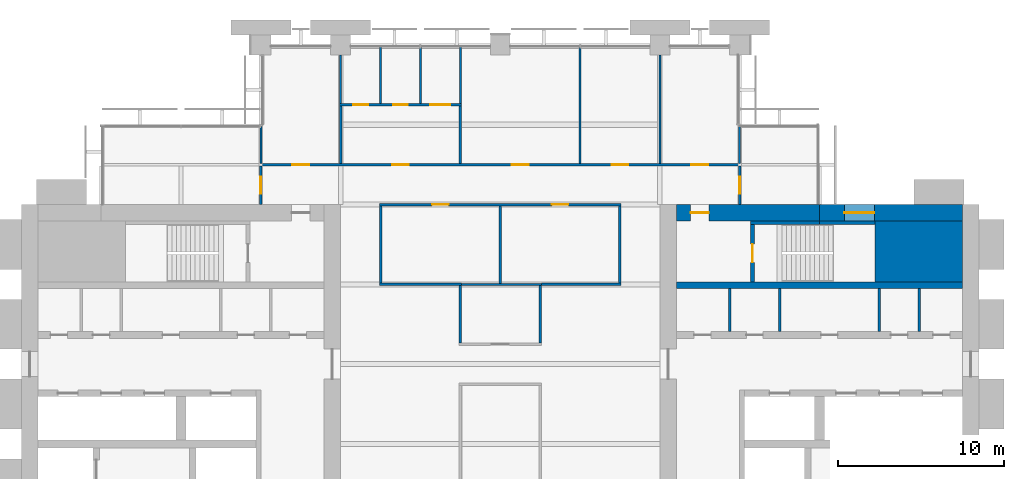
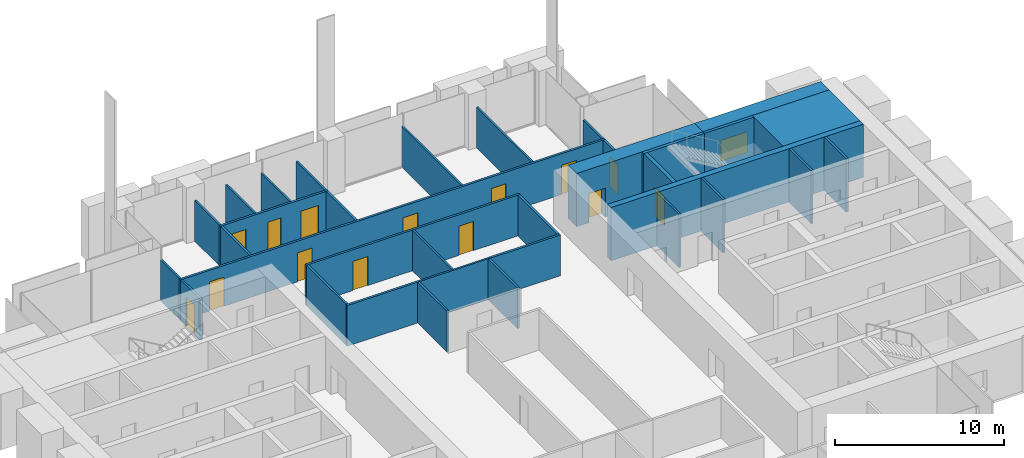
# One storey, part 12 of 14: 34 walls, 14 doors, 1 window, 15 openings.
"""IFC4 building model written with IfcOpenShell, lengths in metres."""

from ifc_helpers import new_model, si_unit, direction, frame, frame_2d, origin, place, context, subcontext, project, spatial, rectangle, extrude, material, layer, layer_set, type_object, element, fill, save


model = new_model("IFC4")

# Units and contexts
model_context = context("Model", 3, precision=1e-05, world=origin(), true_north=direction((0.0, 1.0)))
body_context = subcontext(model_context, "Body", "Model", "MODEL_VIEW")
ifc_project = project(units=[si_unit("LENGTHUNIT", "METRE"), si_unit("AREAUNIT", "SQUARE_METRE"), si_unit("VOLUMEUNIT", "CUBIC_METRE"), si_unit("PLANEANGLEUNIT", "RADIAN"), si_unit("MASSUNIT", "GRAM", prefix="KILO")], contexts=[model_context])

# Site, building, storey
site_placement = place(None, origin())
site = spatial("IfcSite", under=ifc_project, at=site_placement, CompositionType="ELEMENT")
building_placement = place(site_placement, origin())
building = spatial("IfcBuilding", under=site, at=building_placement, Name="Baori Bourse Tower", CompositionType="ELEMENT")
storey_placement = place(building_placement, frame((0.0, 0.0, 156.10009765625)))
storey = spatial("IfcBuildingStorey", under=building, at=storey_placement, Name="L34", CompositionType="ELEMENT", Elevation=156.10009765625)

# Walls
ifc_material_1 = material(Name="Concrete f'c 60 MPa", Category="concrete")
wall_type_1 = type_object("IfcWallType", Name="Core corner block f'c 60", PredefinedType="SHEAR", material=ifc_material_1)
wall_1_placement = place(storey_placement, frame((51.35009765625, 35.574951171875, 0.0), z_axis=(0.0, 0.0, 1.0), x_axis=(1.0, 0.0, 0.0)))
element("IfcWall", 1, at=wall_1_placement, inside=storey, type_object=wall_type_1, Name="Core wall E28", PredefinedType="SHEAR", context=body_context, shape_type="SweptSolid", body=[
    extrude(rectangle(XDim=5.25, YDim=3.64990234375, at=frame_2d((2.625, 0.0))), origin(), (0.0, 0.0, 1.0), 3.83984375),
])
ifc_material_2 = material(Name="Blockwork partition", Category="masonry")
ifc_layer_1 = layer(ifc_material_2, 0.14990234375)
ifc_layer_set_1 = layer_set([ifc_layer_1], Name="Core partition 150")
wall_type_2 = type_object("IfcWallType", Name="Core partition 150", PredefinedType="PARTITIONING", material=ifc_layer_set_1)
for number, where, z_axis, x_axis, name in (
    (2, (54.0, 30.75, 0.0), (0.0, 0.0, 1.0), (0.0, 1.0, 0.0), "Partition wall E23"),
    (3, (51.60009765625, 30.75, 0.0), (0.0, 0.0, 1.0), (0.0, 1.0, 0.0), "Partition wall E24"),
    (4, (45.60009765625, 30.75, 0.0), (0.0, 0.0, 1.0), (0.0, 1.0, 0.0), "Partition wall E25"),
    (5, (42.60009765625, 30.75, 0.0), (0.0, 0.0, 1.0), (0.0, 1.0, 0.0), "Partition wall E26"),
):
    element("IfcWall", number, at=place(storey_placement, frame(where, z_axis=z_axis, x_axis=x_axis)), inside=storey, type_object=wall_type_2, Name=name, PredefinedType="PARTITIONING", context=body_context, shape_type="SweptSolid", body=[
        extrude(rectangle(XDim=2.60009765625, YDim=0.14990234375, at=frame_2d((1.300048828125, 0.0))), origin(), (0.0, 0.0, 1.0), 3.83984375),
    ])

# Wall, opening, window
ifc_material_3 = material(Name="Concrete f'c 60 MPa", Category="concrete")
ifc_layer_2 = layer(ifc_material_3, 1.0)
ifc_layer_set_2 = layer_set([ifc_layer_2], Name="Core wall 1000 f'c 60")
wall_type_3 = type_object("IfcWallType", Name="Core wall 1000 f'c 60", PredefinedType="SHEAR", material=ifc_layer_set_2)
wall_2_placement = place(storey_placement, frame((48.0, 37.89990234375, 0.0), z_axis=(0.0, 0.0, 1.0), x_axis=(1.0, 0.0, 0.0)))
wall_2 = element("IfcWall", 6, at=wall_2_placement, inside=storey, type_object=wall_type_3, Name="Core wall E32", PredefinedType="SHEAR", context=body_context, shape_type="SweptSolid", body=[
    extrude(rectangle(XDim=8.60009765625, YDim=1.0, at=frame_2d((4.300048828125, 0.0))), origin(), (0.0, 0.0, 1.0), 3.83984375),
])
opening_1_placement = place(wall_2_placement, frame((1.5, 0.0, 0.89990234375)))
opening_1 = element("IfcOpeningElement", 7, at=opening_1_placement, cuts=wall_2, Name="Opening L34-KW204", PredefinedType="OPENING", context=body_context, shape_type="SweptSolid", body=[
    extrude(rectangle(XDim=1.800048828125, YDim=1.5, at=frame_2d((0.89990234375, 0.75))), frame((0.0, 0.510009765625, 0.0), z_axis=(0.0, -1.0, 0.0), x_axis=(1.0, 0.0, 0.0)), (0.0, 0.0, 1.0), 1.02001953125),
])
ifc_material_4 = material(Name="Pale anodised aluminium", Category="aluminium")
window_type = type_object("IfcWindowType", Name="Stair window 1800 x 1500", PartitioningType="SINGLE_PANEL", PredefinedType="WINDOW", material=ifc_material_4)
window_placement = place(opening_1_placement, origin())
window = element("IfcWindow", 8, at=window_placement, inside=storey, type_object=window_type, Name="Stair window E L34 4", OverallHeight=1.5, OverallWidth=1.800048828125, PartitioningType="SINGLE_PANEL", PredefinedType="WINDOW", context=body_context, shape_type="SweptSolid", body=[
    extrude(rectangle(XDim=1.800048828125, YDim=1.5, at=frame_2d((0.89990234375, 0.75))), frame((0.0, 0.030029296875, 0.0), z_axis=(0.0, -1.0, 0.0), x_axis=(1.0, 0.0, 0.0)), (0.0, 0.0, 1.0), 0.06005859375),
])
fill(opening_1, window)

# Wall, opening, door
wall_3_placement = place(storey_placement, frame((39.39990234375, 37.89990234375, 0.0), z_axis=(0.0, 0.0, 1.0), x_axis=(1.0, 0.0, 0.0)))
wall_3 = element("IfcWall", 9, at=wall_3_placement, inside=storey, type_object=wall_type_3, Name="Core wall E33", PredefinedType="SHEAR", context=body_context, shape_type="SweptSolid", body=[
    extrude(rectangle(XDim=8.60009765625, YDim=1.0, at=frame_2d((4.300048828125, 0.0))), origin(), (0.0, 0.0, 1.0), 3.83984375),
])
opening_2_placement = place(wall_3_placement, frame((0.85009765625, 0.0, 0.0)))
opening_2 = element("IfcOpeningElement", 10, at=opening_2_placement, cuts=wall_3, Name="Opening L34-D204", PredefinedType="OPENING", context=body_context, shape_type="SweptSolid", body=[
    extrude(rectangle(XDim=1.10009765625, YDim=2.10009765625, at=frame_2d((0.550048828125, 1.050048828125))), frame((0.0, 0.510009765625, 0.0), z_axis=(0.0, -1.0, 0.0), x_axis=(1.0, 0.0, 0.0)), (0.0, 0.0, 1.0), 1.02001953125),
])
ifc_material_5 = material(Name="Painted steel door", Category="steel")
door_type_1 = type_object("IfcDoorType", Name="Stair door 1100", OperationType="SINGLE_SWING_LEFT", PredefinedType="DOOR", material=ifc_material_5)
door_1_placement = place(opening_2_placement, origin())
door_1 = element("IfcDoor", 11, at=door_1_placement, inside=storey, type_object=door_type_1, Name="Stair vestibule door B E L34", OperationType="SINGLE_SWING_LEFT", OverallHeight=2.10009765625, OverallWidth=1.10009765625, PredefinedType="DOOR", context=body_context, shape_type="SweptSolid", body=[
    extrude(rectangle(XDim=1.10009765625, YDim=2.10009765625, at=frame_2d((0.550048828125, 1.050048828125))), frame((0.0, 0.02490234375, 0.0), z_axis=(0.0, -1.0, 0.0), x_axis=(1.0, 0.0, 0.0)), (0.0, 0.0, 1.0), 0.050048828125),
])
fill(opening_2, door_1)

# Walls
ifc_material_6 = material(Name="Gypsum board partition")
ifc_layer_3 = layer(ifc_material_6, 0.14990234375)
ifc_layer_set_3 = layer_set([ifc_layer_3], Name="Corridor partition 150")
wall_type_4 = type_object("IfcWallType", Name="Corridor partition 150", PredefinedType="PARTITIONING", material=ifc_layer_set_3)
wall_4_placement = place(storey_placement, frame((21.52490234375, 33.60009765625, 0.0), z_axis=(0.0, 0.0, 1.0), x_axis=(1.0, 0.0, 0.0)))
element("IfcWall", 12, at=wall_4_placement, inside=storey, type_object=wall_type_4, Name="Partition", PredefinedType="PARTITIONING", context=body_context, shape_type="SweptSolid", body=[
    extrude(rectangle(XDim=4.9501953125, YDim=0.14990234375, at=frame_2d((2.47509765625, 0.0))), origin(), (0.0, 0.0, 1.0), 2.935546875),
])
wall_5_placement = place(storey_placement, frame((31.27490234375, 33.60009765625, 0.0), z_axis=(0.0, 0.0, 1.0), x_axis=(1.0, 0.0, 0.0)))
element("IfcWall", 13, at=wall_5_placement, inside=storey, type_object=wall_type_4, Name="Partition", PredefinedType="PARTITIONING", context=body_context, shape_type="SweptSolid", body=[
    extrude(rectangle(XDim=4.800048828125, YDim=0.14990234375, at=frame_2d((2.39990234375, 0.0))), origin(), (0.0, 0.0, 1.0), 2.935546875),
])

# Wall, openings, doors
wall_6_placement = place(storey_placement, frame((21.52490234375, 38.39990234375, 0.0), z_axis=(0.0, 0.0, 1.0), x_axis=(1.0, 0.0, 0.0)))
wall_6 = element("IfcWall", 14, at=wall_6_placement, inside=storey, type_object=wall_type_4, Name="Partition", PredefinedType="PARTITIONING", context=body_context, shape_type="SweptSolid", body=[
    extrude(rectangle(XDim=14.550048828125, YDim=0.14990234375, at=frame_2d((7.27490234375, 0.0))), origin(), (0.0, 0.0, 1.0), 2.935546875),
])
opening_3_placement = place(wall_6_placement, frame((3.175048828125, 0.0, 0.0)))
opening_3 = element("IfcOpeningElement", 15, at=opening_3_placement, cuts=wall_6, Name="Opening L34-D08", PredefinedType="OPENING", context=body_context, shape_type="SweptSolid", body=[
    extrude(rectangle(XDim=1.0, YDim=2.10009765625, at=frame_2d((0.5, 1.050048828125))), frame((0.0, 0.0849609375, 0.0), z_axis=(0.0, -1.0, 0.0), x_axis=(1.0, 0.0, 0.0)), (0.0, 0.0, 1.0), 0.169921875),
])
opening_4_placement = place(wall_6_placement, frame((10.375, 0.0, 0.0)))
opening_4 = element("IfcOpeningElement", 16, at=opening_4_placement, cuts=wall_6, Name="Opening L34-D09", PredefinedType="OPENING", context=body_context, shape_type="SweptSolid", body=[
    extrude(rectangle(XDim=1.0, YDim=2.10009765625, at=frame_2d((0.5, 1.050048828125))), frame((0.0, 0.0849609375, 0.0), z_axis=(0.0, -1.0, 0.0), x_axis=(1.0, 0.0, 0.0)), (0.0, 0.0, 1.0), 0.169921875),
])
ifc_material_7 = material(Name="Timber door leaf", Category="wood")
door_type_2 = type_object("IfcDoorType", Name="Door 1000 x 2100", OperationType="SINGLE_SWING_LEFT", PredefinedType="DOOR", material=ifc_material_7)
door_2_placement = place(opening_3_placement, origin())
door_2 = element("IfcDoor", 17, at=door_2_placement, inside=storey, type_object=door_type_2, Name="Door", OperationType="SINGLE_SWING_LEFT", OverallHeight=2.10009765625, OverallWidth=1.0, PredefinedType="DOOR", context=body_context, shape_type="SweptSolid", body=[
    extrude(rectangle(XDim=1.0, YDim=2.10009765625, at=frame_2d((0.5, 1.050048828125))), frame((0.0, 0.02490234375, 0.0), z_axis=(0.0, -1.0, 0.0), x_axis=(1.0, 0.0, 0.0)), (0.0, 0.0, 1.0), 0.050048828125),
])
fill(opening_3, door_2)
door_3_placement = place(opening_4_placement, origin())
door_3 = element("IfcDoor", 18, at=door_3_placement, inside=storey, type_object=door_type_2, Name="Door", OperationType="SINGLE_SWING_RIGHT", OverallHeight=2.10009765625, OverallWidth=1.0, PredefinedType="DOOR", context=body_context, shape_type="SweptSolid", body=[
    extrude(rectangle(XDim=1.0, YDim=2.10009765625, at=frame_2d((0.5, 1.050048828125))), frame((0.0, 0.02490234375, 0.0), z_axis=(0.0, -1.0, 0.0), x_axis=(1.0, 0.0, 0.0)), (0.0, 0.0, 1.0), 0.050048828125),
])
fill(opening_4, door_3)

wall_7_placement = place(storey_placement, frame((14.324951171875, 40.800048828125, 0.0), z_axis=(0.0, 0.0, 1.0), x_axis=(1.0, 0.0, 0.0)))
wall_7 = element("IfcWall", 19, at=wall_7_placement, inside=storey, type_object=wall_type_4, Name="Partition", PredefinedType="PARTITIONING", context=body_context, shape_type="SweptSolid", body=[
    extrude(rectangle(XDim=28.949951171875, YDim=0.14990234375, at=frame_2d((14.47509765625, 0.0))), origin(), (0.0, 0.0, 1.0), 2.935546875),
])
opening_5_placement = place(wall_7_placement, frame((1.97509765625, 0.0, 0.0)))
opening_5 = element("IfcOpeningElement", 20, at=opening_5_placement, cuts=wall_7, Name="Opening L34-D10", PredefinedType="OPENING", context=body_context, shape_type="SweptSolid", body=[
    extrude(rectangle(XDim=1.0, YDim=2.10009765625, at=frame_2d((0.5, 1.050048828125))), frame((0.0, 0.0849609375, 0.0), z_axis=(0.0, -1.0, 0.0), x_axis=(1.0, 0.0, 0.0)), (0.0, 0.0, 1.0), 0.169921875),
])
opening_6_placement = place(wall_7_placement, frame((7.97509765625, 0.0, 0.0)))
opening_6 = element("IfcOpeningElement", 21, at=opening_6_placement, cuts=wall_7, Name="Opening L34-D11", PredefinedType="OPENING", context=body_context, shape_type="SweptSolid", body=[
    extrude(rectangle(XDim=1.0, YDim=2.10009765625, at=frame_2d((0.5, 1.050048828125))), frame((0.0, 0.0849609375, 0.0), z_axis=(0.0, -1.0, 0.0), x_axis=(1.0, 0.0, 0.0)), (0.0, 0.0, 1.0), 0.169921875),
])
opening_7_placement = place(wall_7_placement, frame((15.175048828125, 0.0, 0.0)))
opening_7 = element("IfcOpeningElement", 22, at=opening_7_placement, cuts=wall_7, Name="Opening L34-D12", PredefinedType="OPENING", context=body_context, shape_type="SweptSolid", body=[
    extrude(rectangle(XDim=1.0, YDim=2.10009765625, at=frame_2d((0.5, 1.050048828125))), frame((0.0, 0.0849609375, 0.0), z_axis=(0.0, -1.0, 0.0), x_axis=(1.0, 0.0, 0.0)), (0.0, 0.0, 1.0), 0.169921875),
])
opening_8_placement = place(wall_7_placement, frame((21.175048828125, 0.0, 0.0)))
opening_8 = element("IfcOpeningElement", 23, at=opening_8_placement, cuts=wall_7, Name="Opening L34-D13", PredefinedType="OPENING", context=body_context, shape_type="SweptSolid", body=[
    extrude(rectangle(XDim=1.0, YDim=2.10009765625, at=frame_2d((0.5, 1.050048828125))), frame((0.0, 0.0849609375, 0.0), z_axis=(0.0, -1.0, 0.0), x_axis=(1.0, 0.0, 0.0)), (0.0, 0.0, 1.0), 0.169921875),
])
opening_9_placement = place(wall_7_placement, frame((25.97509765625, 0.0, 0.0)))
opening_9 = element("IfcOpeningElement", 24, at=opening_9_placement, cuts=wall_7, Name="Opening L34-D14", PredefinedType="OPENING", context=body_context, shape_type="SweptSolid", body=[
    extrude(rectangle(XDim=1.0, YDim=2.10009765625, at=frame_2d((0.5, 1.050048828125))), frame((0.0, 0.0849609375, 0.0), z_axis=(0.0, -1.0, 0.0), x_axis=(1.0, 0.0, 0.0)), (0.0, 0.0, 1.0), 0.169921875),
])
door_4_placement = place(opening_5_placement, origin())
door_4 = element("IfcDoor", 25, at=door_4_placement, inside=storey, type_object=door_type_2, Name="Door", OperationType="SINGLE_SWING_RIGHT", OverallHeight=2.10009765625, OverallWidth=1.0, PredefinedType="DOOR", context=body_context, shape_type="SweptSolid", body=[
    extrude(rectangle(XDim=1.0, YDim=2.10009765625, at=frame_2d((0.5, 1.050048828125))), frame((0.0, 0.02490234375, 0.0), z_axis=(0.0, -1.0, 0.0), x_axis=(1.0, 0.0, 0.0)), (0.0, 0.0, 1.0), 0.050048828125),
])
fill(opening_5, door_4)
door_5_placement = place(opening_6_placement, origin())
door_5 = element("IfcDoor", 26, at=door_5_placement, inside=storey, type_object=door_type_2, Name="Door", OperationType="SINGLE_SWING_LEFT", OverallHeight=2.10009765625, OverallWidth=1.0, PredefinedType="DOOR", context=body_context, shape_type="SweptSolid", body=[
    extrude(rectangle(XDim=1.0, YDim=2.10009765625, at=frame_2d((0.5, 1.050048828125))), frame((0.0, 0.02490234375, 0.0), z_axis=(0.0, -1.0, 0.0), x_axis=(1.0, 0.0, 0.0)), (0.0, 0.0, 1.0), 0.050048828125),
])
fill(opening_6, door_5)
door_6_placement = place(opening_7_placement, origin())
door_6 = element("IfcDoor", 27, at=door_6_placement, inside=storey, type_object=door_type_2, Name="Door", OperationType="SINGLE_SWING_LEFT", OverallHeight=2.10009765625, OverallWidth=1.0, PredefinedType="DOOR", context=body_context, shape_type="SweptSolid", body=[
    extrude(rectangle(XDim=1.0, YDim=2.10009765625, at=frame_2d((0.5, 1.050048828125))), frame((0.0, 0.02490234375, 0.0), z_axis=(0.0, -1.0, 0.0), x_axis=(1.0, 0.0, 0.0)), (0.0, 0.0, 1.0), 0.050048828125),
])
fill(opening_7, door_6)
door_7_placement = place(opening_8_placement, origin())
door_7 = element("IfcDoor", 28, at=door_7_placement, inside=storey, type_object=door_type_2, Name="Door", OperationType="SINGLE_SWING_LEFT", OverallHeight=2.10009765625, OverallWidth=1.0, PredefinedType="DOOR", context=body_context, shape_type="SweptSolid", body=[
    extrude(rectangle(XDim=1.0, YDim=2.10009765625, at=frame_2d((0.5, 1.050048828125))), frame((0.0, 0.02490234375, 0.0), z_axis=(0.0, -1.0, 0.0), x_axis=(1.0, 0.0, 0.0)), (0.0, 0.0, 1.0), 0.050048828125),
])
fill(opening_8, door_7)
door_8_placement = place(opening_9_placement, origin())
door_8 = element("IfcDoor", 29, at=door_8_placement, inside=storey, type_object=door_type_2, Name="Door", OperationType="SINGLE_SWING_LEFT", OverallHeight=2.10009765625, OverallWidth=1.0, PredefinedType="DOOR", context=body_context, shape_type="SweptSolid", body=[
    extrude(rectangle(XDim=1.0, YDim=2.10009765625, at=frame_2d((0.5, 1.050048828125))), frame((0.0, 0.02490234375, 0.0), z_axis=(0.0, -1.0, 0.0), x_axis=(1.0, 0.0, 0.0)), (0.0, 0.0, 1.0), 0.050048828125),
])
fill(opening_9, door_8)

wall_8_placement = place(storey_placement, frame((19.125, 44.39990234375, 0.0), z_axis=(0.0, 0.0, 1.0), x_axis=(1.0, 0.0, 0.0)))
wall_8 = element("IfcWall", 30, at=wall_8_placement, inside=storey, type_object=wall_type_4, Name="Partition", PredefinedType="PARTITIONING", context=body_context, shape_type="SweptSolid", body=[
    extrude(rectangle(XDim=7.35009765625, YDim=0.14990234375, at=frame_2d((3.675048828125, 0.0))), origin(), (0.0, 0.0, 1.0), 2.935546875),
])
opening_10_placement = place(wall_8_placement, frame((0.824951171875, 0.0, 0.0)))
opening_10 = element("IfcOpeningElement", 31, at=opening_10_placement, cuts=wall_8, Name="Opening L34-D15", PredefinedType="OPENING", context=body_context, shape_type="SweptSolid", body=[
    extrude(rectangle(XDim=0.89990234375, YDim=2.10009765625, at=frame_2d((0.449951171875, 1.050048828125))), frame((0.0, 0.0849609375, 0.0), z_axis=(0.0, -1.0, 0.0), x_axis=(1.0, 0.0, 0.0)), (0.0, 0.0, 1.0), 0.169921875),
])
opening_11_placement = place(wall_8_placement, frame((3.22509765625, 0.0, 0.0)))
opening_11 = element("IfcOpeningElement", 32, at=opening_11_placement, cuts=wall_8, Name="Opening L34-D16", PredefinedType="OPENING", context=body_context, shape_type="SweptSolid", body=[
    extrude(rectangle(XDim=0.89990234375, YDim=2.10009765625, at=frame_2d((0.449951171875, 1.050048828125))), frame((0.0, 0.0849609375, 0.0), z_axis=(0.0, -1.0, 0.0), x_axis=(1.0, 0.0, 0.0)), (0.0, 0.0, 1.0), 0.169921875),
])
opening_12_placement = place(wall_8_placement, frame((5.47509765625, 0.0, 0.0)))
opening_12 = element("IfcOpeningElement", 33, at=opening_12_placement, cuts=wall_8, Name="Opening L34-D17", PredefinedType="OPENING", context=body_context, shape_type="SweptSolid", body=[
    extrude(rectangle(XDim=1.199951171875, YDim=2.10009765625, at=frame_2d((0.60009765625, 1.050048828125))), frame((0.0, 0.0849609375, 0.0), z_axis=(0.0, -1.0, 0.0), x_axis=(1.0, 0.0, 0.0)), (0.0, 0.0, 1.0), 0.169921875),
])
ifc_material_8 = material(Name="Timber door leaf", Category="wood")
door_type_3 = type_object("IfcDoorType", Name="Door 1200 x 2100", OperationType="SINGLE_SWING_LEFT", PredefinedType="DOOR", material=ifc_material_8)
door_9_placement = place(opening_12_placement, origin())
door_9 = element("IfcDoor", 34, at=door_9_placement, inside=storey, type_object=door_type_3, Name="Door", OperationType="SINGLE_SWING_LEFT", OverallHeight=2.10009765625, OverallWidth=1.199951171875, PredefinedType="DOOR", context=body_context, shape_type="SweptSolid", body=[
    extrude(rectangle(XDim=1.199951171875, YDim=2.10009765625, at=frame_2d((0.60009765625, 1.050048828125))), frame((0.0, 0.02490234375, 0.0), z_axis=(0.0, -1.0, 0.0), x_axis=(1.0, 0.0, 0.0)), (0.0, 0.0, 1.0), 0.050048828125),
])
fill(opening_12, door_9)
ifc_material_9 = material(Name="Timber door leaf", Category="wood")
door_type_4 = type_object("IfcDoorType", Name="Door 900 x 2100", OperationType="SINGLE_SWING_LEFT", PredefinedType="DOOR", material=ifc_material_9)
door_10_placement = place(opening_10_placement, origin())
door_10 = element("IfcDoor", 35, at=door_10_placement, inside=storey, type_object=door_type_4, Name="Door", OperationType="SINGLE_SWING_RIGHT", OverallHeight=2.10009765625, OverallWidth=0.89990234375, PredefinedType="DOOR", context=body_context, shape_type="SweptSolid", body=[
    extrude(rectangle(XDim=0.89990234375, YDim=2.10009765625, at=frame_2d((0.449951171875, 1.050048828125))), frame((0.0, 0.02490234375, 0.0), z_axis=(0.0, -1.0, 0.0), x_axis=(1.0, 0.0, 0.0)), (0.0, 0.0, 1.0), 0.050048828125),
])
fill(opening_10, door_10)
door_11_placement = place(opening_11_placement, origin())
door_11 = element("IfcDoor", 36, at=door_11_placement, inside=storey, type_object=door_type_4, Name="Door", OperationType="SINGLE_SWING_RIGHT", OverallHeight=2.10009765625, OverallWidth=0.89990234375, PredefinedType="DOOR", context=body_context, shape_type="SweptSolid", body=[
    extrude(rectangle(XDim=0.89990234375, YDim=2.10009765625, at=frame_2d((0.449951171875, 1.050048828125))), frame((0.0, 0.02490234375, 0.0), z_axis=(0.0, -1.0, 0.0), x_axis=(1.0, 0.0, 0.0)), (0.0, 0.0, 1.0), 0.050048828125),
])
fill(opening_11, door_11)

# Wall, opening, door
wall_9_placement = place(storey_placement, frame((14.39990234375, 38.39990234375, 0.0), z_axis=(0.0, 0.0, 1.0), x_axis=(0.0, 1.0, 0.0)))
wall_9 = element("IfcWall", 37, at=wall_9_placement, inside=storey, type_object=wall_type_4, Name="Partition", PredefinedType="PARTITIONING", context=body_context, shape_type="SweptSolid", body=[
    extrude(rectangle(XDim=2.3251953125, YDim=0.14990234375, at=frame_2d((1.16259765625, 0.0))), origin(), (0.0, 0.0, 1.0), 2.935546875),
])
opening_13_placement = place(wall_9_placement, frame((0.66259765625, 0.0, 0.0)))
opening_13 = element("IfcOpeningElement", 38, at=opening_13_placement, cuts=wall_9, Name="Opening L34-D19", PredefinedType="OPENING", context=body_context, shape_type="SweptSolid", body=[
    extrude(rectangle(XDim=1.0, YDim=2.10009765625, at=frame_2d((0.5, 1.050048828125))), frame((0.0, 0.0849609375, 0.0), z_axis=(0.0, -1.0, 0.0), x_axis=(1.0, 0.0, 0.0)), (0.0, 0.0, 1.0), 0.169921875),
])
door_12_placement = place(opening_13_placement, origin())
door_12 = element("IfcDoor", 39, at=door_12_placement, inside=storey, type_object=door_type_2, Name="Door", OperationType="SINGLE_SWING_RIGHT", OverallHeight=2.10009765625, OverallWidth=1.0, PredefinedType="DOOR", context=body_context, shape_type="SweptSolid", body=[
    extrude(rectangle(XDim=1.0, YDim=2.10009765625, at=frame_2d((0.5, 1.050048828125))), frame((0.0, 0.02490234375, 0.0), z_axis=(0.0, -1.0, 0.0), x_axis=(1.0, 0.0, 0.0)), (0.0, 0.0, 1.0), 0.050048828125),
])
fill(opening_13, door_12)

# Walls
wall_10_placement = place(storey_placement, frame((19.199951171875, 40.875, 0.0), z_axis=(0.0, 0.0, 1.0), x_axis=(0.0, 1.0, 0.0)))
element("IfcWall", 40, at=wall_10_placement, inside=storey, type_object=wall_type_4, Name="Partition", PredefinedType="PARTITIONING", context=body_context, shape_type="SweptSolid", body=[
    extrude(rectangle(XDim=3.449951171875, YDim=0.14990234375, at=frame_2d((1.72509765625, 0.0))), origin(), (0.0, 0.0, 1.0), 2.935546875),
])
wall_11_placement = place(storey_placement, frame((21.60009765625, 33.675048828125, 0.0), z_axis=(0.0, 0.0, 1.0), x_axis=(0.0, 1.0, 0.0)))
element("IfcWall", 41, at=wall_11_placement, inside=storey, type_object=wall_type_4, Name="Partition", PredefinedType="PARTITIONING", context=body_context, shape_type="SweptSolid", body=[
    extrude(rectangle(XDim=4.64990234375, YDim=0.14990234375, at=frame_2d((2.324951171875, 0.0))), origin(), (0.0, 0.0, 1.0), 2.935546875),
])
for number, where, z_axis, x_axis, name in (
    (42, (26.39990234375, 30.074951171875, 0.0), (0.0, 0.0, 1.0), (0.0, 1.0, 0.0), "Partition"),
    (43, (26.39990234375, 40.875, 0.0), (0.0, 0.0, 1.0), (0.0, 1.0, 0.0), "Partition"),
    (44, (31.199951171875, 30.074951171875, 0.0), (0.0, 0.0, 1.0), (0.0, 1.0, 0.0), "Partition"),
):
    element("IfcWall", number, at=place(storey_placement, frame(where, z_axis=z_axis, x_axis=x_axis)), inside=storey, type_object=wall_type_4, Name=name, PredefinedType="PARTITIONING", context=body_context, shape_type="SweptSolid", body=[
        extrude(rectangle(XDim=3.449951171875, YDim=0.14990234375, at=frame_2d((1.72509765625, 0.0))), origin(), (0.0, 0.0, 1.0), 2.935546875),
    ])
wall_12_placement = place(storey_placement, frame((36.0, 33.675048828125, 0.0), z_axis=(0.0, 0.0, 1.0), x_axis=(0.0, 1.0, 0.0)))
element("IfcWall", 45, at=wall_12_placement, inside=storey, type_object=wall_type_4, Name="Partition", PredefinedType="PARTITIONING", context=body_context, shape_type="SweptSolid", body=[
    extrude(rectangle(XDim=4.64990234375, YDim=0.14990234375, at=frame_2d((2.324951171875, 0.0))), origin(), (0.0, 0.0, 1.0), 2.935546875),
])

# Wall, opening, door
wall_13_placement = place(storey_placement, frame((43.199951171875, 38.39990234375, 0.0), z_axis=(0.0, 0.0, 1.0), x_axis=(0.0, 1.0, 0.0)))
wall_13 = element("IfcWall", 46, at=wall_13_placement, inside=storey, type_object=wall_type_4, Name="Partition", PredefinedType="PARTITIONING", context=body_context, shape_type="SweptSolid", body=[
    extrude(rectangle(XDim=2.3251953125, YDim=0.14990234375, at=frame_2d((1.16259765625, 0.0))), origin(), (0.0, 0.0, 1.0), 2.935546875),
])
opening_14_placement = place(wall_13_placement, frame((0.66259765625, 0.0, 0.0)))
opening_14 = element("IfcOpeningElement", 47, at=opening_14_placement, cuts=wall_13, Name="Opening L34-D22", PredefinedType="OPENING", context=body_context, shape_type="SweptSolid", body=[
    extrude(rectangle(XDim=1.0, YDim=2.10009765625, at=frame_2d((0.5, 1.050048828125))), frame((0.0, 0.0849609375, 0.0), z_axis=(0.0, -1.0, 0.0), x_axis=(1.0, 0.0, 0.0)), (0.0, 0.0, 1.0), 0.169921875),
])
door_13_placement = place(opening_14_placement, origin())
door_13 = element("IfcDoor", 48, at=door_13_placement, inside=storey, type_object=door_type_2, Name="Door", OperationType="SINGLE_SWING_LEFT", OverallHeight=2.10009765625, OverallWidth=1.0, PredefinedType="DOOR", context=body_context, shape_type="SweptSolid", body=[
    extrude(rectangle(XDim=1.0, YDim=2.10009765625, at=frame_2d((0.5, 1.050048828125))), frame((0.0, 0.02490234375, 0.0), z_axis=(0.0, -1.0, 0.0), x_axis=(1.0, 0.0, 0.0)), (0.0, 0.0, 1.0), 0.050048828125),
])
fill(opening_14, door_13)

# Walls
ifc_material_10 = material(Name="Gypsum board partition")
ifc_layer_4 = layer(ifc_material_10, 0.125)
ifc_layer_set_4 = layer_set([ifc_layer_4], Name="Partition 125")
wall_type_5 = type_object("IfcWallType", Name="Partition 125", PredefinedType="PARTITIONING", material=ifc_layer_set_4)
wall_14_placement = place(storey_placement, frame((26.47509765625, 33.60009765625, 0.0), z_axis=(0.0, 0.0, 1.0), x_axis=(1.0, 0.0, 0.0)))
element("IfcWall", 49, at=wall_14_placement, inside=storey, type_object=wall_type_5, Name="Partition", PredefinedType="PARTITIONING", context=body_context, shape_type="SweptSolid", body=[
    extrude(rectangle(XDim=4.7998046875, YDim=0.125, at=frame_2d((2.39990234375, 0.0))), origin(), (0.0, 0.0, 1.0), 2.935546875),
])
wall_15_placement = place(storey_placement, frame((14.39990234375, 40.875, 0.0), z_axis=(0.0, 0.0, 1.0), x_axis=(0.0, 1.0, 0.0)))
element("IfcWall", 50, at=wall_15_placement, inside=storey, type_object=wall_type_5, Name="Partition", PredefinedType="PARTITIONING", context=body_context, shape_type="SweptSolid", body=[
    extrude(rectangle(XDim=2.22509765625, YDim=0.125, at=frame_2d((1.112548828125, 0.0))), origin(), (0.0, 0.0, 1.0), 2.935546875),
])
wall_16_placement = place(storey_placement, frame((19.199951171875, 44.47509765625, 0.0), z_axis=(0.0, 0.0, 1.0), x_axis=(0.0, 1.0, 0.0)))
element("IfcWall", 51, at=wall_16_placement, inside=storey, type_object=wall_type_5, Name="Partition", PredefinedType="PARTITIONING", context=body_context, shape_type="SweptSolid", body=[
    extrude(rectangle(XDim=2.9248046875, YDim=0.125, at=frame_2d((1.46240234375, 0.0))), origin(), (0.0, 0.0, 1.0), 2.935546875),
])
for number, where, z_axis, x_axis, name in (
    (52, (21.60009765625, 44.47509765625, 0.0), (0.0, 0.0, 1.0), (0.0, 1.0, 0.0), "Partition"),
    (53, (24.0, 44.47509765625, 0.0), (0.0, 0.0, 1.0), (0.0, 1.0, 0.0), "Partition"),
    (54, (26.39990234375, 44.47509765625, 0.0), (0.0, 0.0, 1.0), (0.0, 1.0, 0.0), "Partition"),
):
    element("IfcWall", number, at=place(storey_placement, frame(where, z_axis=z_axis, x_axis=x_axis)), inside=storey, type_object=wall_type_5, Name=name, PredefinedType="PARTITIONING", context=body_context, shape_type="SweptSolid", body=[
        extrude(rectangle(XDim=3.4248046875, YDim=0.125, at=frame_2d((1.71240234375, 0.0))), origin(), (0.0, 0.0, 1.0), 2.935546875),
    ])
wall_17_placement = place(storey_placement, frame((28.800048828125, 33.66259765625, 0.0), z_axis=(0.0, 0.0, 1.0), x_axis=(0.0, 1.0, 0.0)))
element("IfcWall", 55, at=wall_17_placement, inside=storey, type_object=wall_type_5, Name="Partition", PredefinedType="PARTITIONING", context=body_context, shape_type="SweptSolid", body=[
    extrude(rectangle(XDim=4.662353515625, YDim=0.125, at=frame_2d((2.3310546875, 0.0))), origin(), (0.0, 0.0, 1.0), 2.935546875),
])
wall_18_placement = place(storey_placement, frame((33.60009765625, 40.875, 0.0), z_axis=(0.0, 0.0, 1.0), x_axis=(0.0, 1.0, 0.0)))
element("IfcWall", 56, at=wall_18_placement, inside=storey, type_object=wall_type_5, Name="Partition", PredefinedType="PARTITIONING", context=body_context, shape_type="SweptSolid", body=[
    extrude(rectangle(XDim=7.02490234375, YDim=0.125, at=frame_2d((3.512451171875, 0.0))), origin(), (0.0, 0.0, 1.0), 2.935546875),
])
wall_19_placement = place(storey_placement, frame((38.39990234375, 40.875, 0.0), z_axis=(0.0, 0.0, 1.0), x_axis=(0.0, 1.0, 0.0)))
element("IfcWall", 57, at=wall_19_placement, inside=storey, type_object=wall_type_5, Name="Partition", PredefinedType="PARTITIONING", context=body_context, shape_type="SweptSolid", body=[
    extrude(rectangle(XDim=6.52490234375, YDim=0.125, at=frame_2d((3.262451171875, 0.0))), origin(), (0.0, 0.0, 1.0), 2.935546875),
])
wall_20_placement = place(storey_placement, frame((43.199951171875, 40.875, 0.0), z_axis=(0.0, 0.0, 1.0), x_axis=(0.0, 1.0, 0.0)))
element("IfcWall", 58, at=wall_20_placement, inside=storey, type_object=wall_type_5, Name="Partition", PredefinedType="PARTITIONING", context=body_context, shape_type="SweptSolid", body=[
    extrude(rectangle(XDim=2.22509765625, YDim=0.125, at=frame_2d((1.112548828125, 0.0))), origin(), (0.0, 0.0, 1.0), 2.935546875),
])
ifc_material_11 = material(Name="Concrete f'c 60 MPa", Category="concrete")
ifc_layer_5 = layer(ifc_material_11, 0.199951171875)
ifc_layer_set_5 = layer_set([ifc_layer_5], Name="Shaft wall 200 f'c 60")
wall_type_6 = type_object("IfcWallType", Name="Shaft wall 200 f'c 60", PredefinedType="SHEAR", material=ifc_layer_set_5)
wall_21_placement = place(storey_placement, frame((48.0, 37.300048828125, 0.0), z_axis=(0.0, 0.0, 1.0), x_axis=(1.0, 0.0, 0.0)))
element("IfcWall", 59, at=wall_21_placement, inside=storey, type_object=wall_type_6, Name="Core wall E30", PredefinedType="SHEAR", context=body_context, shape_type="SweptSolid", body=[
    extrude(rectangle(XDim=3.35009765625, YDim=0.199951171875, at=frame_2d((1.675048828125, 0.0))), origin(), (0.0, 0.0, 1.0), 3.83984375),
])
wall_22_placement = place(storey_placement, frame((43.85009765625, 37.300048828125, 0.0), z_axis=(0.0, 0.0, 1.0), x_axis=(1.0, 0.0, 0.0)))
element("IfcWall", 60, at=wall_22_placement, inside=storey, type_object=wall_type_6, Name="Core wall E31", PredefinedType="SHEAR", context=body_context, shape_type="SweptSolid", body=[
    extrude(rectangle(XDim=4.14990234375, YDim=0.199951171875, at=frame_2d((2.074951171875, 0.0))), origin(), (0.0, 0.0, 1.0), 3.83984375),
])

# Wall, opening, door
ifc_material_12 = material(Name="Concrete f'c 60 MPa", Category="concrete")
ifc_layer_6 = layer(ifc_material_12, 0.25)
ifc_layer_set_6 = layer_set([ifc_layer_6], Name="Shaft wall 250 f'c 60")
wall_type_7 = type_object("IfcWallType", Name="Shaft wall 250 f'c 60", PredefinedType="SHEAR", material=ifc_layer_set_6)
wall_23_placement = place(storey_placement, frame((43.97509765625, 33.75, 0.0), z_axis=(0.0, 0.0, 1.0), x_axis=(0.0, 1.0, 0.0)))
wall_23 = element("IfcWall", 61, at=wall_23_placement, inside=storey, type_object=wall_type_7, Name="Core wall E29", PredefinedType="SHEAR", context=body_context, shape_type="SweptSolid", body=[
    extrude(rectangle(XDim=3.449951171875, YDim=0.25, at=frame_2d((1.72509765625, 0.0))), origin(), (0.0, 0.0, 1.0), 3.83984375),
])
opening_15_placement = place(wall_23_placement, frame((1.175048828125, 0.0, 0.0)))
opening_15 = element("IfcOpeningElement", 62, at=opening_15_placement, cuts=wall_23, Name="Opening L34-D203", PredefinedType="OPENING", context=body_context, shape_type="SweptSolid", body=[
    extrude(rectangle(XDim=1.10009765625, YDim=2.10009765625, at=frame_2d((0.550048828125, 1.050048828125))), frame((0.0, 0.135009765625, 0.0), z_axis=(0.0, -1.0, 0.0), x_axis=(1.0, 0.0, 0.0)), (0.0, 0.0, 1.0), 0.27001953125),
])
door_14_placement = place(opening_15_placement, origin())
door_14 = element("IfcDoor", 63, at=door_14_placement, inside=storey, type_object=door_type_1, Name="Stair door B E L34", OperationType="SINGLE_SWING_LEFT", OverallHeight=2.10009765625, OverallWidth=1.10009765625, PredefinedType="DOOR", context=body_context, shape_type="SweptSolid", body=[
    extrude(rectangle(XDim=1.10009765625, YDim=2.10009765625, at=frame_2d((0.550048828125, 1.050048828125))), frame((0.0, 0.02490234375, 0.0), z_axis=(0.0, -1.0, 0.0), x_axis=(1.0, 0.0, 0.0)), (0.0, 0.0, 1.0), 0.050048828125),
])
fill(opening_15, door_14)

# Wall
ifc_material_13 = material(Name="Concrete f'c 60 MPa", Category="concrete")
ifc_layer_7 = layer(ifc_material_13, 0.39990234375)
ifc_layer_set_7 = layer_set([ifc_layer_7], Name="Shaft wall 400 f'c 60")
wall_type_8 = type_object("IfcWallType", Name="Shaft wall 400 f'c 60", PredefinedType="SHEAR", material=ifc_layer_set_7)
wall_24_placement = place(storey_placement, frame((39.39990234375, 33.550048828125, 0.0), z_axis=(0.0, 0.0, 1.0), x_axis=(1.0, 0.0, 0.0)))
element("IfcWall", 64, at=wall_24_placement, inside=storey, type_object=wall_type_8, Name="Core wall E27", PredefinedType="SHEAR", context=body_context, shape_type="SweptSolid", body=[
    extrude(rectangle(XDim=17.2001953125, YDim=0.39990234375, at=frame_2d((8.60009765625, 0.0))), origin(), (0.0, 0.0, 1.0), 3.83984375),
])

save(model, "model.ifc")
